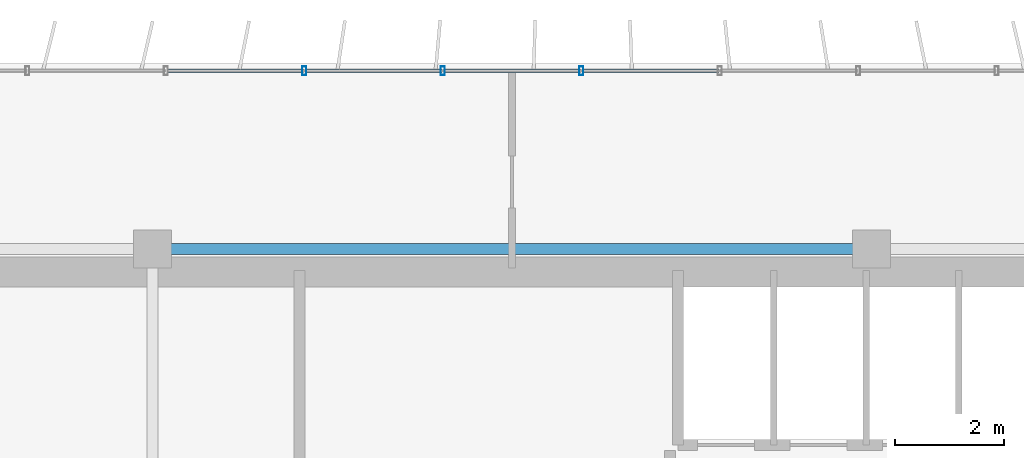
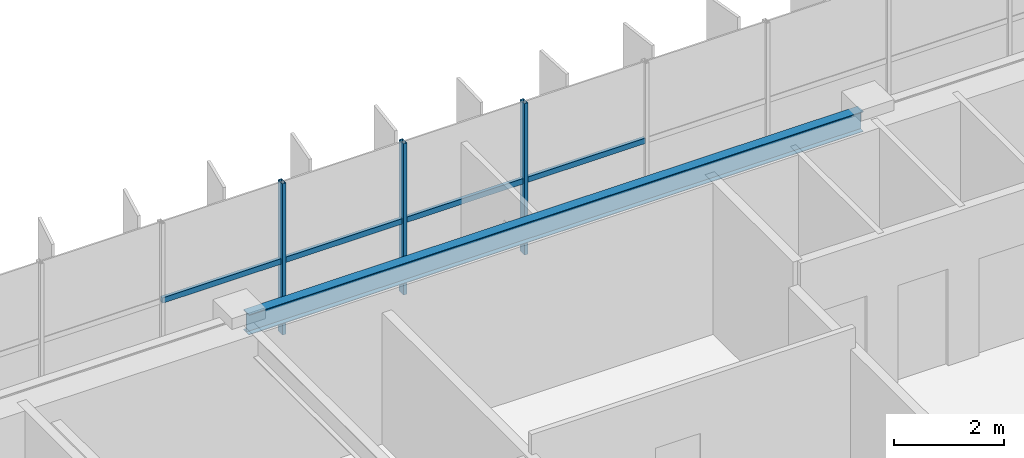
# One storey, part 13 of 27: 7 members, 1 beam, 1 element without a shape of its own.
"""IFC4 building model written with IfcOpenShell, lengths in metres."""

from ifc_helpers import new_model, si_unit, direction, frame, origin, origin_2d, place, context, subcontext, project, spatial, hollow_rectangle, i_section, extrude, source, transform, mapped, material, material_profile, profile_set, type_object, element, aggregate, save


model = new_model("IFC4")

# Units and contexts
model_context = context("Model", 3, precision=1e-05, world=origin(), true_north=direction((0.0, 1.0)))
body_context = subcontext(model_context, "Body", "Model", "MODEL_VIEW")
ifc_project = project(units=[si_unit("LENGTHUNIT", "METRE"), si_unit("AREAUNIT", "SQUARE_METRE"), si_unit("VOLUMEUNIT", "CUBIC_METRE"), si_unit("PLANEANGLEUNIT", "RADIAN"), si_unit("MASSUNIT", "GRAM", prefix="KILO")], contexts=[model_context])

# Site, building, storey
site_placement = place(None, origin())
site = spatial("IfcSite", under=ifc_project, at=site_placement, CompositionType="ELEMENT")
building_placement = place(site_placement, origin())
building = spatial("IfcBuilding", under=site, at=building_placement, Name="Trelvane Seafront Commons", CompositionType="ELEMENT")
storey_placement = place(building_placement, frame((0.0, 0.0, 233.699951171875)))
storey = spatial("IfcBuildingStorey", under=building, at=storey_placement, Name="L61", CompositionType="ELEMENT", Elevation=233.699951171875)

# Beam
ifc_material_1 = material(Name="Steel SM355 (S355)", Category="steel")
ifc_material_profile_1 = material_profile(ifc_material_1, i_section(OverallWidth=0.199951171875, OverallDepth=0.449951171875, WebThickness=0.009033203125, FlangeThickness=0.013916015625, at=origin_2d()), Name="H-450x200x9x14")
ifc_profile_set_1 = profile_set([ifc_material_profile_1], Name="Steel SM355 (S355)")
beam_type = type_object("IfcBeamType", Name="STR-SPD-H450", PredefinedType="SPANDREL", material=ifc_profile_set_1)
shared_shape_1 = source(origin(), body_context, "Body", "SweptSolid", [
    extrude(i_section(OverallWidth=0.199951171875, OverallDepth=0.449951171875, WebThickness=0.009033203125, FlangeThickness=0.013916015625, at=origin_2d()), origin(), (0.0, 0.0, 1.0), 12.89990234375),
])
beam_placement = place(storey_placement, frame((30.75, 45.10009765625, 3.135009765625), z_axis=(1.0, 0.0, 0.0), x_axis=(0.0, 1.0, 0.0)))
element("IfcBeam", 1, at=beam_placement, inside=storey, type_object=beam_type, Name="L61 Primary Girder G-25", PredefinedType="SPANDREL", context=body_context, shape_type="MappedRepresentation", body=[
    mapped(shared_shape_1, transform((0.0, 0.0, 0.0), x_axis=(1.0, 0.0, 0.0), y_axis=(0.0, 1.0, 0.0), z_axis=(0.0, 0.0, 1.0), scale=1.0)),
])

# Curtain wall, members
ifc_material_2 = material(Name="Anodised pale-silver aluminium", Category="aluminium")
curtain_wall_type = type_object("IfcCurtainWallType", Name="ARCH-CW5-UPTOWER", PredefinedType="NOTDEFINED", material=ifc_material_2)
curtain_wall_placement = place(storey_placement, origin())
curtain_wall = element("IfcCurtainWall", 2, at=curtain_wall_placement, inside=storey, type_object=curtain_wall_type, Name="CW-L61-0104", PredefinedType="NOTDEFINED")
ifc_material_profile_2 = material_profile(ifc_material_2, hollow_rectangle(XDim=0.070068359375, YDim=0.1201171875, WallThickness=0.00390625, at=origin_2d()), Name="TRAN-70x120x4")
ifc_profile_set_2 = profile_set([ifc_material_profile_2], Name="Anodised pale-silver aluminium")
member_type_1 = type_object("IfcMemberType", Name="ARCH-CW-TRAN-120", PredefinedType="USERDEFINED", material=ifc_profile_set_2)
shared_shape_2 = source(origin(), body_context, "Body", "SweptSolid", [
    extrude(hollow_rectangle(XDim=0.070068359375, YDim=0.1201171875, WallThickness=0.00390625, at=origin_2d()), origin(), (0.0, 0.0, 1.0), 2.51708984375),
])
member_1_placement = place(storey_placement, frame((30.859130859375, 48.3701171875, 1.613037109375), z_axis=(1.0, 0.0, 0.0), x_axis=(0.0, 1.0, 0.0)))
member_1 = element("IfcMember", 3, at=member_1_placement, type_object=member_type_1, Name="CW-L61-0104-T06", ObjectType="TRANSOM", PredefinedType="USERDEFINED", context=body_context, shape_type="MappedRepresentation", body=[
    mapped(shared_shape_2, transform((0.0, 0.0, 0.0), x_axis=(1.0, 0.0, 0.0), y_axis=(0.0, 1.0, 0.0), z_axis=(0.0, 0.0, 1.0), scale=1.0)),
])
member_2_placement = place(storey_placement, frame((35.94140625, 48.3701171875, 1.613037109375), z_axis=(1.0, 0.0, 0.0), x_axis=(0.0, 1.0, 0.0)))
member_2 = element("IfcMember", 4, at=member_2_placement, type_object=member_type_1, Name="CW-L61-0104-T08", ObjectType="TRANSOM", PredefinedType="USERDEFINED", context=body_context, shape_type="MappedRepresentation", body=[
    mapped(shared_shape_2, transform((0.0, 0.0, 0.0), x_axis=(1.0, 0.0, 0.0), y_axis=(0.0, 1.0, 0.0), z_axis=(0.0, 0.0, 1.0), scale=1.0)),
])
member_3_placement = place(storey_placement, frame((38.482666015625, 48.3701171875, 1.613037109375), z_axis=(1.0, 0.0, 0.0), x_axis=(0.0, 1.0, 0.0)))
member_3 = element("IfcMember", 5, at=member_3_placement, type_object=member_type_1, Name="CW-L61-0104-T09", ObjectType="TRANSOM", PredefinedType="USERDEFINED", context=body_context, shape_type="MappedRepresentation", body=[
    mapped(shared_shape_2, transform((0.0, 0.0, 0.0), x_axis=(1.0, 0.0, 0.0), y_axis=(0.0, 1.0, 0.0), z_axis=(0.0, 0.0, 1.0), scale=1.0)),
])
shared_shape_3 = source(origin(), body_context, "Body", "SweptSolid", [
    extrude(hollow_rectangle(XDim=0.070068359375, YDim=0.1201171875, WallThickness=0.00390625, at=origin_2d()), origin(), (0.0, 0.0, 1.0), 2.517333984375),
])
member_4_placement = place(storey_placement, frame((33.400146484375, 48.3701171875, 1.613037109375), z_axis=(1.0, 0.0, 0.0), x_axis=(0.0, 1.0, 0.0)))
member_4 = element("IfcMember", 6, at=member_4_placement, type_object=member_type_1, Name="CW-L61-0104-T07", ObjectType="TRANSOM", PredefinedType="USERDEFINED", context=body_context, shape_type="MappedRepresentation", body=[
    mapped(shared_shape_3, transform((0.0, 0.0, 0.0), x_axis=(1.0, 0.0, 0.0), y_axis=(0.0, 1.0, 0.0), z_axis=(0.0, 0.0, 1.0), scale=1.0)),
])
ifc_material_profile_3 = material_profile(ifc_material_2, hollow_rectangle(XDim=0.074951171875, YDim=0.159912109375, WallThickness=0.00390625, at=origin_2d()), Name="MULL-75x160x4")
ifc_profile_set_3 = profile_set([ifc_material_profile_3], Name="Anodised pale-silver aluminium")
member_type_2 = type_object("IfcMemberType", Name="ARCH-CW-MULL-160", PredefinedType="MULLION", material=ifc_profile_set_3)
shared_shape_4 = source(origin(), body_context, "Body", "SweptSolid", [
    extrude(hollow_rectangle(XDim=0.074951171875, YDim=0.159912109375, WallThickness=0.00390625, at=origin_2d()), origin(), (0.0, 0.0, 1.0), 3.360107421875),
])
member_5_placement = place(storey_placement, frame((33.38818359375, 48.3701171875, 0.0), z_axis=(0.0, 0.0, 1.0), x_axis=(1.0, 0.0, 0.0)))
member_5 = element("IfcMember", 7, at=member_5_placement, type_object=member_type_2, Name="CW-L61-0104-M07", PredefinedType="MULLION", context=body_context, shape_type="MappedRepresentation", body=[
    mapped(shared_shape_4, transform((0.0, 0.0, 0.0), x_axis=(1.0, 0.0, 0.0), y_axis=(0.0, 1.0, 0.0), z_axis=(0.0, 0.0, 1.0), scale=1.0)),
])
member_6_placement = place(storey_placement, frame((35.929443359375, 48.3701171875, 0.0), z_axis=(0.0, 0.0, 1.0), x_axis=(1.0, 0.0, 0.0)))
member_6 = element("IfcMember", 8, at=member_6_placement, type_object=member_type_2, Name="CW-L61-0104-M08", PredefinedType="MULLION", context=body_context, shape_type="MappedRepresentation", body=[
    mapped(shared_shape_4, transform((0.0, 0.0, 0.0), x_axis=(1.0, 0.0, 0.0), y_axis=(0.0, 1.0, 0.0), z_axis=(0.0, 0.0, 1.0), scale=1.0)),
])
member_7_placement = place(storey_placement, frame((38.470703125, 48.3701171875, 0.0), z_axis=(0.0, 0.0, 1.0), x_axis=(1.0, 0.0, 0.0)))
member_7 = element("IfcMember", 9, at=member_7_placement, type_object=member_type_2, Name="CW-L61-0104-M09", PredefinedType="MULLION", context=body_context, shape_type="MappedRepresentation", body=[
    mapped(shared_shape_4, transform((0.0, 0.0, 0.0), x_axis=(1.0, 0.0, 0.0), y_axis=(0.0, 1.0, 0.0), z_axis=(0.0, 0.0, 1.0), scale=1.0)),
])
aggregate(curtain_wall, [member_5, member_6, member_7, member_1, member_4, member_2, member_3])

save(model, "model.ifc")
